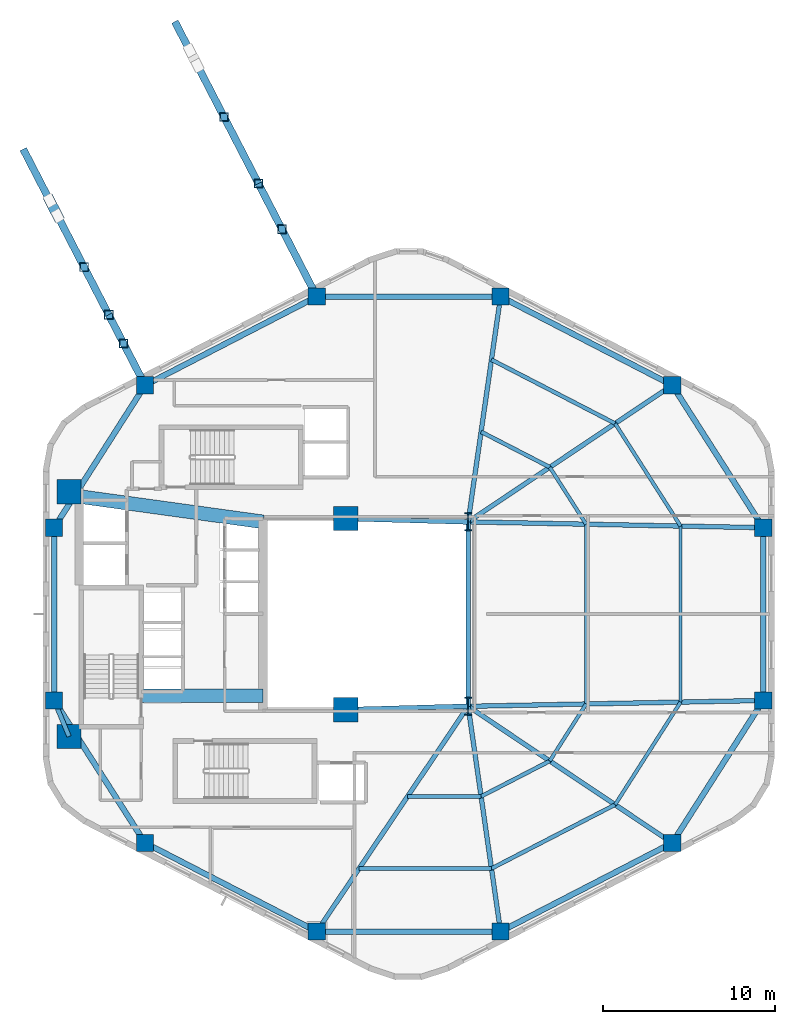
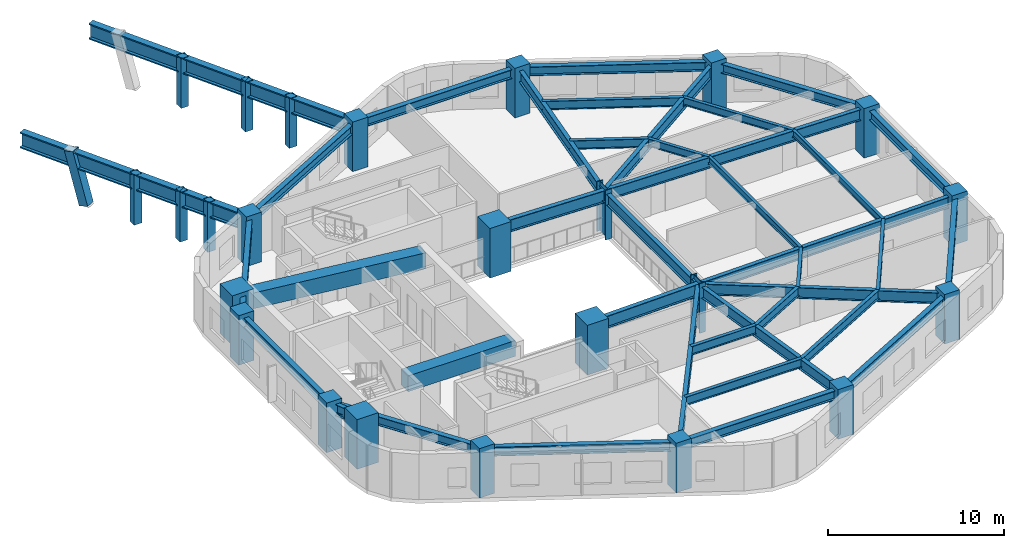
# One storey, part 1 of 6: 41 beams, 18 columns, 7 members.
"""IFC4 building model written with IfcOpenShell, lengths in metres."""

from ifc_helpers import new_model, si_unit, direction, frame, origin, origin_2d, place, context, subcontext, project, spatial, rectangle, hollow_rectangle, i_section, extrude, material, material_profile, profile_set, type_object, element, save


model = new_model("IFC4")

# Units and contexts
model_context = context("Model", 3, precision=1e-05, world=origin(), true_north=direction((0.0, 1.0)))
body_context = subcontext(model_context, "Body", "Model", "MODEL_VIEW")
ifc_project = project(units=[si_unit("LENGTHUNIT", "METRE"), si_unit("AREAUNIT", "SQUARE_METRE"), si_unit("VOLUMEUNIT", "CUBIC_METRE"), si_unit("PLANEANGLEUNIT", "RADIAN"), si_unit("MASSUNIT", "GRAM", prefix="KILO"), si_unit("THERMODYNAMICTEMPERATUREUNIT", "KELVIN"), si_unit("POWERUNIT", "WATT")], contexts=[model_context])

# Site, building, storey
site_placement = place(None, origin())
site = spatial("IfcSite", under=ifc_project, at=site_placement, CompositionType="ELEMENT")
building_placement = place(site_placement, origin())
building = spatial("IfcBuilding", under=site, at=building_placement, Name="Skarre Station Tower", CompositionType="ELEMENT")
storey_placement = place(building_placement, frame((0.0, 0.0, 136.050048828125)))
storey = spatial("IfcBuildingStorey", under=building, at=storey_placement, Name="L36", CompositionType="ELEMENT", Elevation=136.050048828125)

# Columns
ifc_material_1 = material(Name="Concrete C60/75", Category="concrete")
ifc_material_profile_1 = material_profile(ifc_material_1, rectangle(XDim=1.0, YDim=1.0, at=origin_2d()), Name="Concrete C60/75")
ifc_profile_set_1 = profile_set([ifc_material_profile_1], Name="Concrete C60/75")
column_type_1 = type_object("IfcColumnType", Name="RC Structural Column RC-COL-1000X1000", PredefinedType="COLUMN", material=ifc_profile_set_1)
for number, where, z_axis, x_axis, name in (
    (1, (51.291015625, 37.277099609375, 0.0), (0.0, 0.0, 1.0), (1.0, 0.0, 0.0), "L36 Zone 2 Perimeter Column F0C1"),
    (2, (41.3310546875, 42.41796875, 0.0), (0.0, 0.0, 1.0), (1.0, 0.0, 0.0), "L36 Zone 2 Perimeter Column F0C2"),
    (3, (30.6689453125, 42.41796875, 0.0), (0.0, 0.0, 1.0), (1.0, 0.0, 0.0), "L36 Zone 2 Perimeter Column F1C1"),
    (4, (20.708984375, 37.277099609375, 0.0), (0.0, 0.0, 1.0), (1.0, 0.0, 0.0), "L36 Zone 2 Perimeter Column F1C2"),
    (5, (15.431884765625, 29.010986328125, 0.0), (0.0, 0.0, 1.0), (1.0, 0.0, 0.0), "L36 Zone 2 Perimeter Column F2C1"),
    (6, (15.431884765625, 18.989013671875, 0.0), (0.0, 0.0, 1.0), (1.0, 0.0, 0.0), "L36 Zone 2 Perimeter Column F2C2"),
    (7, (20.708984375, 10.722900390625, 0.0), (0.0, 0.0, 1.0), (1.0, 0.0, 0.0), "L36 Zone 2 Perimeter Column F3C1"),
    (8, (30.6689453125, 5.58203125, 0.0), (0.0, 0.0, 1.0), (1.0, 0.0, 0.0), "L36 Zone 2 Perimeter Column F3C2"),
    (9, (41.3310546875, 5.58203125, 0.0), (0.0, 0.0, 1.0), (1.0, 0.0, 0.0), "L36 Zone 2 Perimeter Column F4C1"),
    (10, (51.291015625, 10.722900390625, 0.0), (0.0, 0.0, 1.0), (1.0, 0.0, 0.0), "L36 Zone 2 Perimeter Column F4C2"),
    (11, (56.568115234375, 18.989013671875, 0.0), (0.0, 0.0, 1.0), (1.0, 0.0, 0.0), "L36 Zone 2 Perimeter Column F5C1"),
    (12, (56.568115234375, 29.010986328125, 0.0), (0.0, 0.0, 1.0), (1.0, 0.0, 0.0), "L36 Zone 2 Perimeter Column F5C2"),
):
    element("IfcColumn", number, at=place(storey_placement, frame(where, z_axis=z_axis, x_axis=x_axis)), inside=storey, type_object=column_type_1, Name=name, PredefinedType="COLUMN", context=body_context, shape_type="SweptSolid", body=[
        extrude(rectangle(XDim=1.0, YDim=1.0, at=origin_2d()), origin(), (0.0, 0.0, 1.0), 3.449951171875),
    ])
ifc_material_2 = material(Name="Concrete C70/85", Category="concrete")
ifc_material_profile_2 = material_profile(ifc_material_2, rectangle(XDim=1.39990234375, YDim=1.39990234375, at=origin_2d()), Name="Concrete C70/85")
ifc_profile_set_2 = profile_set([ifc_material_profile_2], Name="Concrete C70/85")
column_type_2 = type_object("IfcColumnType", Name="RC Structural Column RC-COL-1400X1400", PredefinedType="COLUMN", material=ifc_profile_set_2)
for number, where, z_axis, x_axis, name in (
    (13, (16.300048828125, 16.89990234375, 0.0), (0.0, 0.0, 1.0), (1.0, 0.0, 0.0), "L36 Core Column CC-SW"),
    (14, (16.300048828125, 31.10009765625, 0.0), (0.0, 0.0, 1.0), (1.0, 0.0, 0.0), "L36 Core Column CC-NW"),
    (15, (32.35009765625, 18.449951171875, 0.0), (0.0, 0.0, 1.0), (1.0, 0.0, 0.0), "L36 Core Column CC-SE"),
    (16, (32.35009765625, 29.550048828125, 0.0), (0.0, 0.0, 1.0), (1.0, 0.0, 0.0), "L36 Core Column CC-NE"),
):
    element("IfcColumn", number, at=place(storey_placement, frame(where, z_axis=z_axis, x_axis=x_axis)), inside=storey, type_object=column_type_2, Name=name, PredefinedType="COLUMN", context=body_context, shape_type="SweptSolid", body=[
        extrude(rectangle(XDim=1.39990234375, YDim=1.39990234375, at=origin_2d()), origin(), (0.0, 0.0, 1.0), 3.449951171875),
    ])
ifc_material_3 = material(Name="Steel ASTM A913 Grade 65", Category="steel")
ifc_material_profile_3 = material_profile(ifc_material_3, i_section(OverallWidth=0.409912109375, OverallDepth=1.041015625, WebThickness=0.031005859375, FlangeThickness=0.055908203125, at=origin_2d()), Name="Steel ASTM A913 Grade 65")
ifc_profile_set_3 = profile_set([ifc_material_profile_3], Name="Steel ASTM A913 Grade 65")
column_type_3 = type_object("IfcColumnType", Name="Steel Column W40X397", PredefinedType="COLUMN", material=ifc_profile_set_3)
for number, where, z_axis, x_axis, name in (
    (17, (39.449951171875, 18.64990234375, 0.0), (0.0, 0.0, 1.0), (1.0, 0.0, 0.0), "L36 Atrium Spine Column AC-SE"),
    (18, (39.449951171875, 29.35009765625, 0.0), (0.0, 0.0, 1.0), (1.0, 0.0, 0.0), "L36 Atrium Spine Column AC-NE"),
):
    element("IfcColumn", number, at=place(storey_placement, frame(where, z_axis=z_axis, x_axis=x_axis)), inside=storey, type_object=column_type_3, Name=name, PredefinedType="COLUMN", context=body_context, shape_type="SweptSolid", body=[
        extrude(i_section(OverallWidth=0.409912109375, OverallDepth=1.041015625, WebThickness=0.031005859375, FlangeThickness=0.055908203125, at=origin_2d()), origin(), (0.0, 0.0, 1.0), 3.449951171875),
    ])

# Beams
ifc_material_profile_4 = material_profile(ifc_material_2, rectangle(XDim=0.800048828125, YDim=1.10009765625, at=origin_2d()), Name="Concrete C70/85")
ifc_profile_set_4 = profile_set([ifc_material_profile_4], Name="Concrete C70/85")
beam_type_1 = type_object("IfcBeamType", Name="RC Core Coupling Lintel 800x1100", PredefinedType="LINTEL", material=ifc_profile_set_4)
beam_1_placement = place(storey_placement, frame((20.489990234375, 19.260009765625, 2.60986328125), z_axis=(1.0, 0.0, 0.0), x_axis=(0.0, 1.0, 0.0)))
element("IfcBeam", 19, at=beam_1_placement, inside=storey, type_object=beam_type_1, Name="L36 South Core Coupling Lintel", PredefinedType="LINTEL", context=body_context, shape_type="SweptSolid", body=[
    extrude(rectangle(XDim=0.800048828125, YDim=1.10009765625, at=origin_2d()), origin(), (0.0, 0.0, 1.0), 7.06005859375),
])
beam_2_placement = place(storey_placement, frame((17.050048828125, 30.800048828125, 2.60986328125), z_axis=(0.990599723633, -0.136792498109, 0.0), x_axis=(0.136792498109, 0.990599723633, 0.0)))
element("IfcBeam", 20, at=beam_2_placement, inside=storey, type_object=beam_type_1, Name="L36 North Core Coupling Lintel", PredefinedType="LINTEL", context=body_context, shape_type="SweptSolid", body=[
    extrude(rectangle(XDim=0.800048828125, YDim=1.10009765625, at=origin_2d()), origin(), (0.0, 0.0, 1.0), 10.599609375),
])
ifc_material_4 = material(Name="Steel ASTM A992 Grade 50", Category="steel")
ifc_material_profile_5 = material_profile(ifc_material_4, i_section(OverallWidth=0.26806640625, OverallDepth=0.77001953125, WebThickness=0.01611328125, FlangeThickness=0.02490234375, at=origin_2d()), Name="Steel ASTM A992 Grade 50")
ifc_profile_set_5 = profile_set([ifc_material_profile_5], Name="Steel ASTM A992 Grade 50")
beam_type_2 = type_object("IfcBeamType", Name="Steel Beam W30X132", PredefinedType="BEAM", material=ifc_profile_set_5)
beam_3_placement = place(storey_placement, frame((39.449951171875, 18.64990234375, 2.77490234375), z_axis=(0.0, 1.0, 0.0), x_axis=(-1.0, 0.0, 0.0)))
element("IfcBeam", 21, at=beam_3_placement, inside=storey, type_object=beam_type_2, Name="L36 Atrium East Edge Girder", PredefinedType="BEAM", context=body_context, shape_type="SweptSolid", body=[
    extrude(i_section(OverallWidth=0.26806640625, OverallDepth=0.77001953125, WebThickness=0.01611328125, FlangeThickness=0.02490234375, at=origin_2d()), origin(), (0.0, 0.0, 1.0), 10.7001953125),
])
beam_4_placement = place(storey_placement, frame((39.449951171875, 29.35009765625, 2.77490234375), z_axis=(0.830981218317, 0.556300471692, 0.0), x_axis=(-0.556300471692, 0.830981218317, 0.0)))
element("IfcBeam", 22, at=beam_4_placement, inside=storey, type_object=beam_type_2, Name="L36 Radial Floor Girder F0C1", PredefinedType="BEAM", context=body_context, shape_type="SweptSolid", body=[
    extrude(i_section(OverallWidth=0.26806640625, OverallDepth=0.77001953125, WebThickness=0.01611328125, FlangeThickness=0.02490234375, at=origin_2d()), origin(), (0.0, 0.0, 1.0), 14.24951171875),
])
beam_5_placement = place(storey_placement, frame((39.449951171875, 29.35009765625, 2.77490234375), z_axis=(0.142480121776, 0.989797663616, 0.0), x_axis=(-0.989797663616, 0.142480121776, 0.0)))
element("IfcBeam", 23, at=beam_5_placement, inside=storey, type_object=beam_type_2, Name="L36 Radial Floor Girder F0C2", PredefinedType="BEAM", context=body_context, shape_type="SweptSolid", body=[
    extrude(i_section(OverallWidth=0.26806640625, OverallDepth=0.77001953125, WebThickness=0.01611328125, FlangeThickness=0.02490234375, at=origin_2d()), origin(), (0.0, 0.0, 1.0), 13.20263671875),
])
beam_6_placement = place(storey_placement, frame((16.300048828125, 16.89990234375, 2.77490234375), z_axis=(-0.383749333092, 0.923437301256, 0.0), x_axis=(-0.923437301256, -0.383749333092, 0.0)))
element("IfcBeam", 24, at=beam_6_placement, inside=storey, type_object=beam_type_2, Name="L36 Radial Floor Girder F2C2", PredefinedType="BEAM", context=body_context, shape_type="SweptSolid", body=[
    extrude(i_section(OverallWidth=0.26806640625, OverallDepth=0.77001953125, WebThickness=0.01611328125, FlangeThickness=0.02490234375, at=origin_2d()), origin(), (0.0, 0.0, 1.0), 2.26220703125),
])
beam_7_placement = place(storey_placement, frame((39.449951171875, 18.64990234375, 2.77490234375), z_axis=(-0.55773464691, -0.830019315219, 0.0), x_axis=(0.830019315219, -0.55773464691, 0.0)))
element("IfcBeam", 25, at=beam_7_placement, inside=storey, type_object=beam_type_2, Name="L36 Radial Floor Girder F3C2", PredefinedType="BEAM", context=body_context, shape_type="SweptSolid", body=[
    extrude(i_section(OverallWidth=0.26806640625, OverallDepth=0.77001953125, WebThickness=0.01611328125, FlangeThickness=0.02490234375, at=origin_2d()), origin(), (0.0, 0.0, 1.0), 15.744140625),
])
beam_8_placement = place(storey_placement, frame((39.449951171875, 18.64990234375, 2.77490234375), z_axis=(0.142480121776, -0.989797663616, 0.0), x_axis=(0.989797663616, 0.142480121776, 0.0)))
element("IfcBeam", 26, at=beam_8_placement, inside=storey, type_object=beam_type_2, Name="L36 Radial Floor Girder F4C1", PredefinedType="BEAM", context=body_context, shape_type="SweptSolid", body=[
    extrude(i_section(OverallWidth=0.26806640625, OverallDepth=0.77001953125, WebThickness=0.01611328125, FlangeThickness=0.02490234375, at=origin_2d()), origin(), (0.0, 0.0, 1.0), 13.20263671875),
])
beam_9_placement = place(storey_placement, frame((39.449951171875, 18.64990234375, 2.77490234375), z_axis=(0.830981218317, -0.556300471692, 0.0), x_axis=(0.556300471692, 0.830981218317, 0.0)))
element("IfcBeam", 27, at=beam_9_placement, inside=storey, type_object=beam_type_2, Name="L36 Radial Floor Girder F4C2", PredefinedType="BEAM", context=body_context, shape_type="SweptSolid", body=[
    extrude(i_section(OverallWidth=0.26806640625, OverallDepth=0.77001953125, WebThickness=0.01611328125, FlangeThickness=0.02490234375, at=origin_2d()), origin(), (0.0, 0.0, 1.0), 14.24951171875),
])
for number, where, z_axis, x_axis, name in (
    (28, (39.449951171875, 18.64990234375, 2.77490234375), (0.999803839107, 0.019806143142, 0.0), (-0.019806143142, 0.999803839107, 0.0), "L36 Radial Floor Girder F5C1"),
    (29, (39.449951171875, 29.35009765625, 2.77490234375), (0.999803839107, -0.019806143142, 0.0), (0.019806143142, 0.999803839107, 0.0), "L36 Radial Floor Girder F5C2"),
):
    element("IfcBeam", number, at=place(storey_placement, frame(where, z_axis=z_axis, x_axis=x_axis)), inside=storey, type_object=beam_type_2, Name=name, PredefinedType="BEAM", context=body_context, shape_type="SweptSolid", body=[
        extrude(i_section(OverallWidth=0.26806640625, OverallDepth=0.77001953125, WebThickness=0.01611328125, FlangeThickness=0.02490234375, at=origin_2d()), origin(), (0.0, 0.0, 1.0), 17.12158203125),
    ])
ifc_material_profile_6 = material_profile(ifc_material_4, i_section(OverallWidth=0.2919921875, OverallDepth=0.85888671875, WebThickness=0.01708984375, FlangeThickness=0.031005859375, at=origin_2d()), Name="Steel ASTM A992 Grade 50")
ifc_profile_set_6 = profile_set([ifc_material_profile_6], Name="Steel ASTM A992 Grade 50")
beam_type_3 = type_object("IfcBeamType", Name="Steel Beam W33X169", PredefinedType="BEAM", material=ifc_profile_set_6)
for number, where, z_axis, x_axis, name in (
    (30, (32.35009765625, 18.449951171875, 2.73095703125), (0.999603666405, 0.028151556095, 0.0), (-0.028151556095, 0.999603666405, 0.0), "L36 Atrium South Edge Girder"),
    (31, (32.35009765625, 29.550048828125, 2.73095703125), (0.999603666405, -0.028151556095, 0.0), (0.028151556095, 0.999603666405, 0.0), "L36 Atrium North Edge Girder"),
):
    element("IfcBeam", number, at=place(storey_placement, frame(where, z_axis=z_axis, x_axis=x_axis)), inside=storey, type_object=beam_type_3, Name=name, PredefinedType="BEAM", context=body_context, shape_type="SweptSolid", body=[
        extrude(i_section(OverallWidth=0.2919921875, OverallDepth=0.85888671875, WebThickness=0.01708984375, FlangeThickness=0.031005859375, at=origin_2d()), origin(), (0.0, 0.0, 1.0), 7.102783203125),
    ])
ifc_material_profile_7 = material_profile(ifc_material_4, i_section(OverallWidth=0.19091796875, OverallDepth=0.45703125, WebThickness=0.009033203125, FlangeThickness=0.013916015625, at=origin_2d()), Name="Steel ASTM A992 Grade 50")
ifc_profile_set_7 = profile_set([ifc_material_profile_7], Name="Steel ASTM A992 Grade 50")
beam_type_4 = type_object("IfcBeamType", Name="Steel Joist W18X50", PredefinedType="JOIST", material=ifc_profile_set_7)
beam_10_placement = place(storey_placement, frame((46.297119140625, 18.785888671875, 2.931884765625), z_axis=(0.0, 1.0, 0.0), x_axis=(-1.0, 0.0, 0.0)))
element("IfcBeam", 32, at=beam_10_placement, inside=storey, type_object=beam_type_4, Name="L36 Auxiliary Composite Joist 9", PredefinedType="JOIST", context=body_context, shape_type="SweptSolid", body=[
    extrude(i_section(OverallWidth=0.19091796875, OverallDepth=0.45703125, WebThickness=0.009033203125, FlangeThickness=0.013916015625, at=origin_2d()), origin(), (0.0, 0.0, 1.0), 10.42822265625),
])
beam_11_placement = place(storey_placement, frame((51.77490234375, 18.89404296875, 2.931884765625), z_axis=(0.0, 1.0, 0.0), x_axis=(-1.0, 0.0, 0.0)))
element("IfcBeam", 33, at=beam_11_placement, inside=storey, type_object=beam_type_4, Name="L36 Auxiliary Composite Joist 10", PredefinedType="JOIST", context=body_context, shape_type="SweptSolid", body=[
    extrude(i_section(OverallWidth=0.19091796875, OverallDepth=0.45703125, WebThickness=0.009033203125, FlangeThickness=0.013916015625, at=origin_2d()), origin(), (0.0, 0.0, 1.0), 10.2119140625),
])
ifc_material_profile_8 = material_profile(ifc_material_4, i_section(OverallWidth=0.208984375, OverallDepth=0.532958984375, WebThickness=0.010009765625, FlangeThickness=0.01611328125, at=origin_2d()), Name="Steel ASTM A992 Grade 50")
ifc_profile_set_8 = profile_set([ifc_material_profile_8], Name="Steel ASTM A992 Grade 50")
beam_type_5 = type_object("IfcBeamType", Name="Steel Joist W21X62", PredefinedType="JOIST", material=ifc_profile_set_8)
beam_12_placement = place(storey_placement, frame((44.18603515625, 15.47900390625, 2.89404296875), z_axis=(0.538090955129, 0.842886780065, 0.0), x_axis=(-0.842886780065, 0.538090955129, 0.0)))
element("IfcBeam", 34, at=beam_12_placement, inside=storey, type_object=beam_type_5, Name="L36 Auxiliary Composite Joist 7", PredefinedType="JOIST", context=body_context, shape_type="SweptSolid", body=[
    extrude(i_section(OverallWidth=0.208984375, OverallDepth=0.532958984375, WebThickness=0.010009765625, FlangeThickness=0.01611328125, at=origin_2d()), origin(), (0.0, 0.0, 1.0), 3.92333984375),
])
beam_13_placement = place(storey_placement, frame((47.97607421875, 12.943115234375, 2.89404296875), z_axis=(0.538072046089, 0.842898851119, 0.0), x_axis=(-0.842898851119, 0.538072046089, 0.0)))
element("IfcBeam", 35, at=beam_13_placement, inside=storey, type_object=beam_type_5, Name="L36 Auxiliary Composite Joist 8", PredefinedType="JOIST", context=body_context, shape_type="SweptSolid", body=[
    extrude(i_section(OverallWidth=0.208984375, OverallDepth=0.532958984375, WebThickness=0.010009765625, FlangeThickness=0.01611328125, at=origin_2d()), origin(), (0.0, 0.0, 1.0), 7.06005859375),
])
beam_14_placement = place(storey_placement, frame((46.297119140625, 29.214111328125, 2.89404296875), z_axis=(-0.538090955129, 0.842886780065, 0.0), x_axis=(-0.842886780065, -0.538090955129, 0.0)))
element("IfcBeam", 36, at=beam_14_placement, inside=storey, type_object=beam_type_5, Name="L36 Auxiliary Composite Joist 11", PredefinedType="JOIST", context=body_context, shape_type="SweptSolid", body=[
    extrude(i_section(OverallWidth=0.208984375, OverallDepth=0.532958984375, WebThickness=0.010009765625, FlangeThickness=0.01611328125, at=origin_2d()), origin(), (0.0, 0.0, 1.0), 3.92333984375),
])
beam_15_placement = place(storey_placement, frame((51.77490234375, 29.10595703125, 2.89404296875), z_axis=(-0.538072046089, 0.842898851119, 0.0), x_axis=(-0.842898851119, -0.538072046089, 0.0)))
element("IfcBeam", 37, at=beam_15_placement, inside=storey, type_object=beam_type_5, Name="L36 Auxiliary Composite Joist 12", PredefinedType="JOIST", context=body_context, shape_type="SweptSolid", body=[
    extrude(i_section(OverallWidth=0.208984375, OverallDepth=0.532958984375, WebThickness=0.010009765625, FlangeThickness=0.01611328125, at=origin_2d()), origin(), (0.0, 0.0, 1.0), 7.06005859375),
])
ifc_material_profile_9 = material_profile(ifc_material_4, i_section(OverallWidth=0.22802734375, OverallDepth=0.60791015625, WebThickness=0.010986328125, FlangeThickness=0.01708984375, at=origin_2d()), Name="Steel ASTM A992 Grade 50")
ifc_profile_set_9 = profile_set([ifc_material_profile_9], Name="Steel ASTM A992 Grade 50")
beam_type_6 = type_object("IfcBeamType", Name="Steel Joist W24X76", PredefinedType="JOIST", material=ifc_profile_set_9)
beam_16_placement = place(storey_placement, frame((44.18603515625, 32.52099609375, 2.85595703125), z_axis=(-0.888658598325, 0.458569401097, 0.0), x_axis=(-0.458569401097, -0.888658598325, 0.0)))
element("IfcBeam", 38, at=beam_16_placement, inside=storey, type_object=beam_type_6, Name="L36 Secondary Floor Joist 1", PredefinedType="JOIST", context=body_context, shape_type="SweptSolid", body=[
    extrude(i_section(OverallWidth=0.22802734375, OverallDepth=0.60791015625, WebThickness=0.010986328125, FlangeThickness=0.01708984375, at=origin_2d()), origin(), (0.0, 0.0, 1.0), 4.4833984375),
])
beam_17_placement = place(storey_placement, frame((47.97607421875, 35.056884765625, 2.85595703125), z_axis=(-0.888599977053, 0.458682985057, 0.0), x_axis=(-0.458682985057, -0.888599977053, 0.0)))
element("IfcBeam", 39, at=beam_17_placement, inside=storey, type_object=beam_type_6, Name="L36 Secondary Floor Joist 2", PredefinedType="JOIST", context=body_context, shape_type="SweptSolid", body=[
    extrude(i_section(OverallWidth=0.22802734375, OverallDepth=0.60791015625, WebThickness=0.010986328125, FlangeThickness=0.01708984375, at=origin_2d()), origin(), (0.0, 0.0, 1.0), 8.0712890625),
])
beam_18_placement = place(storey_placement, frame((35.93798828125, 13.423095703125, 2.85595703125), z_axis=(1.0, 0.0, 0.0), x_axis=(0.0, 1.0, 0.0)))
element("IfcBeam", 40, at=beam_18_placement, inside=storey, type_object=beam_type_6, Name="L36 Secondary Floor Joist 3", PredefinedType="JOIST", context=body_context, shape_type="SweptSolid", body=[
    extrude(i_section(OverallWidth=0.22802734375, OverallDepth=0.60791015625, WebThickness=0.010986328125, FlangeThickness=0.01708984375, at=origin_2d()), origin(), (0.0, 0.0, 1.0), 4.263916015625),
])
beam_19_placement = place(storey_placement, frame((33.1279296875, 9.240966796875, 2.85595703125), z_axis=(1.0, 0.0, 0.0), x_axis=(0.0, 1.0, 0.0)))
element("IfcBeam", 41, at=beam_19_placement, inside=storey, type_object=beam_type_6, Name="L36 Secondary Floor Joist 4", PredefinedType="JOIST", context=body_context, shape_type="SweptSolid", body=[
    extrude(i_section(OverallWidth=0.22802734375, OverallDepth=0.60791015625, WebThickness=0.010986328125, FlangeThickness=0.01708984375, at=origin_2d()), origin(), (0.0, 0.0, 1.0), 7.676025390625),
])
beam_20_placement = place(storey_placement, frame((40.201904296875, 13.423095703125, 2.85595703125), z_axis=(0.888658598325, 0.458569401097, 0.0), x_axis=(-0.458569401097, 0.888658598325, 0.0)))
element("IfcBeam", 42, at=beam_20_placement, inside=storey, type_object=beam_type_6, Name="L36 Secondary Floor Joist 5", PredefinedType="JOIST", context=body_context, shape_type="SweptSolid", body=[
    extrude(i_section(OverallWidth=0.22802734375, OverallDepth=0.60791015625, WebThickness=0.010986328125, FlangeThickness=0.01708984375, at=origin_2d()), origin(), (0.0, 0.0, 1.0), 4.4833984375),
])
beam_21_placement = place(storey_placement, frame((40.803955078125, 9.240966796875, 2.85595703125), z_axis=(0.888599977053, 0.458682985057, 0.0), x_axis=(-0.458682985057, 0.888599977053, 0.0)))
element("IfcBeam", 43, at=beam_21_placement, inside=storey, type_object=beam_type_6, Name="L36 Secondary Floor Joist 6", PredefinedType="JOIST", context=body_context, shape_type="SweptSolid", body=[
    extrude(i_section(OverallWidth=0.22802734375, OverallDepth=0.60791015625, WebThickness=0.010986328125, FlangeThickness=0.01708984375, at=origin_2d()), origin(), (0.0, 0.0, 1.0), 8.0712890625),
])
ifc_material_profile_10 = material_profile(ifc_material_4, i_section(OverallWidth=0.327880859375, OverallDepth=0.6279296875, WebThickness=0.01708984375, FlangeThickness=0.028076171875, at=origin_2d()), Name="Steel ASTM A992 Grade 50")
ifc_profile_set_10 = profile_set([ifc_material_profile_10], Name="Steel ASTM A992 Grade 50")
beam_type_7 = type_object("IfcBeamType", Name="Steel Spandrel W24X146", PredefinedType="SPANDREL", material=ifc_profile_set_10)
beam_22_placement = place(storey_placement, frame((51.291015625, 37.277099609375, 2.845947265625), z_axis=(-0.888611779493, 0.458660119639, 0.0), x_axis=(-0.458660119639, -0.888611779493, 0.0)))
element("IfcBeam", 44, at=beam_22_placement, inside=storey, type_object=beam_type_7, Name="L36 Facet Spandrel Beam 1", PredefinedType="SPANDREL", context=body_context, shape_type="SweptSolid", body=[
    extrude(i_section(OverallWidth=0.327880859375, OverallDepth=0.6279296875, WebThickness=0.01708984375, FlangeThickness=0.028076171875, at=origin_2d()), origin(), (0.0, 0.0, 1.0), 11.20849609375),
])
beam_23_placement = place(storey_placement, frame((41.3310546875, 42.41796875, 2.845947265625), z_axis=(-1.0, 0.0, 0.0), x_axis=(0.0, -1.0, 0.0)))
element("IfcBeam", 45, at=beam_23_placement, inside=storey, type_object=beam_type_7, Name="L36 Facet Spandrel Beam 2", PredefinedType="SPANDREL", context=body_context, shape_type="SweptSolid", body=[
    extrude(i_section(OverallWidth=0.327880859375, OverallDepth=0.6279296875, WebThickness=0.01708984375, FlangeThickness=0.028076171875, at=origin_2d()), origin(), (0.0, 0.0, 1.0), 10.662109375),
])
beam_24_placement = place(storey_placement, frame((30.6689453125, 42.41796875, 2.845947265625), z_axis=(-0.888611779493, -0.458660119639, 0.0), x_axis=(0.458660119639, -0.888611779493, 0.0)))
element("IfcBeam", 46, at=beam_24_placement, inside=storey, type_object=beam_type_7, Name="L36 Facet Spandrel Beam 3", PredefinedType="SPANDREL", context=body_context, shape_type="SweptSolid", body=[
    extrude(i_section(OverallWidth=0.327880859375, OverallDepth=0.6279296875, WebThickness=0.01708984375, FlangeThickness=0.028076171875, at=origin_2d()), origin(), (0.0, 0.0, 1.0), 11.20849609375),
])
beam_25_placement = place(storey_placement, frame((20.708984375, 37.277099609375, 2.845947265625), z_axis=(-0.538097547923, -0.842882571251, 0.0), x_axis=(0.842882571251, -0.538097547923, 0.0)))
element("IfcBeam", 47, at=beam_25_placement, inside=storey, type_object=beam_type_7, Name="L36 Facet Spandrel Beam 4", PredefinedType="SPANDREL", context=body_context, shape_type="SweptSolid", body=[
    extrude(i_section(OverallWidth=0.327880859375, OverallDepth=0.6279296875, WebThickness=0.01708984375, FlangeThickness=0.028076171875, at=origin_2d()), origin(), (0.0, 0.0, 1.0), 9.806884765625),
])
beam_26_placement = place(storey_placement, frame((15.431884765625, 29.010986328125, 2.845947265625), z_axis=(0.0, -1.0, 0.0), x_axis=(1.0, 0.0, 0.0)))
element("IfcBeam", 48, at=beam_26_placement, inside=storey, type_object=beam_type_7, Name="L36 Facet Spandrel Beam 5", PredefinedType="SPANDREL", context=body_context, shape_type="SweptSolid", body=[
    extrude(i_section(OverallWidth=0.327880859375, OverallDepth=0.6279296875, WebThickness=0.01708984375, FlangeThickness=0.028076171875, at=origin_2d()), origin(), (0.0, 0.0, 1.0), 10.02197265625),
])
beam_27_placement = place(storey_placement, frame((15.431884765625, 18.989013671875, 2.845947265625), z_axis=(0.538097547923, -0.842882571251, 0.0), x_axis=(0.842882571251, 0.538097547923, 0.0)))
element("IfcBeam", 49, at=beam_27_placement, inside=storey, type_object=beam_type_7, Name="L36 Facet Spandrel Beam 6", PredefinedType="SPANDREL", context=body_context, shape_type="SweptSolid", body=[
    extrude(i_section(OverallWidth=0.327880859375, OverallDepth=0.6279296875, WebThickness=0.01708984375, FlangeThickness=0.028076171875, at=origin_2d()), origin(), (0.0, 0.0, 1.0), 9.806884765625),
])
beam_28_placement = place(storey_placement, frame((20.708984375, 10.722900390625, 2.845947265625), z_axis=(0.888611779493, -0.458660119639, 0.0), x_axis=(0.458660119639, 0.888611779493, 0.0)))
element("IfcBeam", 50, at=beam_28_placement, inside=storey, type_object=beam_type_7, Name="L36 Facet Spandrel Beam 7", PredefinedType="SPANDREL", context=body_context, shape_type="SweptSolid", body=[
    extrude(i_section(OverallWidth=0.327880859375, OverallDepth=0.6279296875, WebThickness=0.01708984375, FlangeThickness=0.028076171875, at=origin_2d()), origin(), (0.0, 0.0, 1.0), 11.20849609375),
])
beam_29_placement = place(storey_placement, frame((30.6689453125, 5.58203125, 2.845947265625), z_axis=(1.0, 0.0, 0.0), x_axis=(0.0, 1.0, 0.0)))
element("IfcBeam", 51, at=beam_29_placement, inside=storey, type_object=beam_type_7, Name="L36 Facet Spandrel Beam 8", PredefinedType="SPANDREL", context=body_context, shape_type="SweptSolid", body=[
    extrude(i_section(OverallWidth=0.327880859375, OverallDepth=0.6279296875, WebThickness=0.01708984375, FlangeThickness=0.028076171875, at=origin_2d()), origin(), (0.0, 0.0, 1.0), 10.662109375),
])
beam_30_placement = place(storey_placement, frame((41.3310546875, 5.58203125, 2.845947265625), z_axis=(0.888611779493, 0.458660119639, 0.0), x_axis=(-0.458660119639, 0.888611779493, 0.0)))
element("IfcBeam", 52, at=beam_30_placement, inside=storey, type_object=beam_type_7, Name="L36 Facet Spandrel Beam 9", PredefinedType="SPANDREL", context=body_context, shape_type="SweptSolid", body=[
    extrude(i_section(OverallWidth=0.327880859375, OverallDepth=0.6279296875, WebThickness=0.01708984375, FlangeThickness=0.028076171875, at=origin_2d()), origin(), (0.0, 0.0, 1.0), 11.20849609375),
])
beam_31_placement = place(storey_placement, frame((51.291015625, 10.722900390625, 2.845947265625), z_axis=(0.538097547923, 0.842882571251, 0.0), x_axis=(-0.842882571251, 0.538097547923, 0.0)))
element("IfcBeam", 53, at=beam_31_placement, inside=storey, type_object=beam_type_7, Name="L36 Facet Spandrel Beam 10", PredefinedType="SPANDREL", context=body_context, shape_type="SweptSolid", body=[
    extrude(i_section(OverallWidth=0.327880859375, OverallDepth=0.6279296875, WebThickness=0.01708984375, FlangeThickness=0.028076171875, at=origin_2d()), origin(), (0.0, 0.0, 1.0), 9.806884765625),
])
beam_32_placement = place(storey_placement, frame((56.568115234375, 18.989013671875, 2.845947265625), z_axis=(0.0, 1.0, 0.0), x_axis=(-1.0, 0.0, 0.0)))
element("IfcBeam", 54, at=beam_32_placement, inside=storey, type_object=beam_type_7, Name="L36 Facet Spandrel Beam 11", PredefinedType="SPANDREL", context=body_context, shape_type="SweptSolid", body=[
    extrude(i_section(OverallWidth=0.327880859375, OverallDepth=0.6279296875, WebThickness=0.01708984375, FlangeThickness=0.028076171875, at=origin_2d()), origin(), (0.0, 0.0, 1.0), 10.02197265625),
])
beam_33_placement = place(storey_placement, frame((56.568115234375, 29.010986328125, 2.845947265625), z_axis=(-0.538097547923, 0.842882571251, 0.0), x_axis=(-0.842882571251, -0.538097547923, 0.0)))
element("IfcBeam", 55, at=beam_33_placement, inside=storey, type_object=beam_type_7, Name="L36 Facet Spandrel Beam 12", PredefinedType="SPANDREL", context=body_context, shape_type="SweptSolid", body=[
    extrude(i_section(OverallWidth=0.327880859375, OverallDepth=0.6279296875, WebThickness=0.01708984375, FlangeThickness=0.028076171875, at=origin_2d()), origin(), (0.0, 0.0, 1.0), 9.806884765625),
])
ifc_material_profile_11 = material_profile(ifc_material_3, i_section(OverallWidth=0.424072265625, OverallDepth=1.092041015625, WebThickness=0.044921875, FlangeThickness=0.08203125, at=origin_2d()), Name="Steel ASTM A913 Grade 65")
ifc_profile_set_11 = profile_set([ifc_material_profile_11], Name="Steel ASTM A913 Grade 65")
beam_type_8 = type_object("IfcBeamType", Name="Steel Transfer Girder W40X593", PredefinedType="USERDEFINED", material=ifc_profile_set_11)
beam_34_placement = place(storey_placement, frame((30.6689453125, 42.41796875, 2.614013671875), z_axis=(-0.45866230048, 0.88861065384, 0.0), x_axis=(-0.88861065384, -0.45866230048, 0.0)))
element("IfcBeam", 56, at=beam_34_placement, inside=storey, type_object=beam_type_8, Name="L36 SB-3 Inner Sky-Bar Transfer Girder S1", ObjectType="TRANSFER_GIRDER", PredefinedType="USERDEFINED", context=body_context, shape_type="SweptSolid", body=[
    extrude(i_section(OverallWidth=0.424072265625, OverallDepth=1.092041015625, WebThickness=0.044921875, FlangeThickness=0.08203125, at=origin_2d()), origin(), (0.0, 0.0, 1.0), 7.380126953125),
])
beam_35_placement = place(storey_placement, frame((27.283935546875, 48.97607421875, 2.614013671875), z_axis=(-0.458679988111, 0.888601524029, 0.0), x_axis=(-0.888601524029, -0.458679988111, 0.0)))
element("IfcBeam", 57, at=beam_35_placement, inside=storey, type_object=beam_type_8, Name="L36 SB-3 Outer Sky-Bar Transfer Girder S1", ObjectType="TRANSFER_GIRDER", PredefinedType="USERDEFINED", context=body_context, shape_type="SweptSolid", body=[
    extrude(i_section(OverallWidth=0.424072265625, OverallDepth=1.092041015625, WebThickness=0.044921875, FlangeThickness=0.08203125, at=origin_2d()), origin(), (0.0, 0.0, 1.0), 10.5693359375),
])
beam_36_placement = place(storey_placement, frame((20.708984375, 37.277099609375, 2.614013671875), z_axis=(-0.458640216065, 0.88862205251, 0.0), x_axis=(-0.88862205251, -0.458640216065, 0.0)))
element("IfcBeam", 58, at=beam_36_placement, inside=storey, type_object=beam_type_8, Name="L36 SB-3 Inner Sky-Bar Transfer Girder S2", ObjectType="TRANSFER_GIRDER", PredefinedType="USERDEFINED", context=body_context, shape_type="SweptSolid", body=[
    extrude(i_section(OverallWidth=0.424072265625, OverallDepth=1.092041015625, WebThickness=0.044921875, FlangeThickness=0.08203125, at=origin_2d()), origin(), (0.0, 0.0, 1.0), 4.600341796875),
])
beam_37_placement = place(storey_placement, frame((18.59912109375, 41.364990234375, 2.614013671875), z_axis=(-0.458686644601, 0.888598088038, 0.0), x_axis=(-0.888598088038, -0.458686644601, 0.0)))
element("IfcBeam", 59, at=beam_37_placement, inside=storey, type_object=beam_type_8, Name="L36 SB-3 Outer Sky-Bar Transfer Girder S2", ObjectType="TRANSFER_GIRDER", PredefinedType="USERDEFINED", context=body_context, shape_type="SweptSolid", body=[
    extrude(i_section(OverallWidth=0.424072265625, OverallDepth=1.092041015625, WebThickness=0.044921875, FlangeThickness=0.08203125, at=origin_2d()), origin(), (0.0, 0.0, 1.0), 10.80908203125),
])

# Members
ifc_material_5 = material(Name="Steel ASTM A501 Grade B", Category="steel")
ifc_material_profile_12 = material_profile(ifc_material_5, hollow_rectangle(XDim=0.5, YDim=0.5, WallThickness=0.02490234375, at=origin_2d()), Name="Steel ASTM A501 Grade B")
ifc_profile_set_12 = profile_set([ifc_material_profile_12], Name="Steel ASTM A501 Grade B")
member_type_1 = type_object("IfcMemberType", Name="Steel Truss Strut HSS500X500X25", PredefinedType="STRUT", material=ifc_profile_set_12)
for number, where, z_axis, x_axis, name in (
    (60, (28.65087890625, 46.327880859375, -0.280029296875), (0.0, 0.0, 1.0), (1.0, 0.0, 0.0), "L36 SB-3 Exoskeleton Post Tier 4-1 S1"),
    (61, (27.283935546875, 48.97607421875, -0.280029296875), (0.0, 0.0, 1.0), (1.0, 0.0, 0.0), "L36 SB-3 Exoskeleton Post Tier 4-2 S1"),
    (62, (25.2890625, 52.841064453125, -0.280029296875), (0.0, 0.0, 1.0), (1.0, 0.0, 0.0), "L36 SB-3 Exoskeleton Post Tier 4-3 S1"),
    (63, (19.45703125, 39.702880859375, -0.280029296875), (0.0, 0.0, 1.0), (1.0, 0.0, 0.0), "L36 SB-3 Exoskeleton Post Tier 4-1 S2"),
    (64, (18.59912109375, 41.364990234375, -0.280029296875), (0.0, 0.0, 1.0), (1.0, 0.0, 0.0), "L36 SB-3 Exoskeleton Post Tier 4-2 S2"),
    (65, (17.173095703125, 44.1279296875, -0.280029296875), (0.0, 0.0, 1.0), (1.0, 0.0, 0.0), "L36 SB-3 Exoskeleton Post Tier 4-3 S2"),
):
    element("IfcMember", number, at=place(storey_placement, frame(where, z_axis=z_axis, x_axis=x_axis)), inside=storey, type_object=member_type_1, Name=name, PredefinedType="STRUT", context=body_context, shape_type="SweptSolid", body=[
        extrude(hollow_rectangle(XDim=0.5, YDim=0.5, WallThickness=0.02490234375, at=origin_2d()), origin(), (0.0, 0.0, 1.0), 3.43994140625),
    ])
ifc_material_profile_13 = material_profile(ifc_material_5, hollow_rectangle(XDim=0.60009765625, YDim=0.60009765625, WallThickness=0.028076171875, at=origin_2d()), Name="Steel ASTM A501 Grade B")
ifc_profile_set_13 = profile_set([ifc_material_profile_13], Name="Steel ASTM A501 Grade B")
member_type_2 = type_object("IfcMemberType", Name="Steel Truss Strut HSS600X600X28", PredefinedType="STRUT", material=ifc_profile_set_13)
member_placement = place(storey_placement, frame((15.635986328125, 47.10498046875, -0.280029296875), z_axis=(-0.12785167578, 0.248138566906, 0.960250592613), x_axis=(-0.888941422314, -0.45802090312, 0.0)))
element("IfcMember", 66, at=member_placement, inside=storey, type_object=member_type_2, Name="L36 SB-3 Exoskeleton Raking Strut Tier 4 S2", PredefinedType="STRUT", context=body_context, shape_type="SweptSolid", body=[
    extrude(hollow_rectangle(XDim=0.60009765625, YDim=0.60009765625, WallThickness=0.028076171875, at=origin_2d()), origin(), (0.0, 0.0, 1.0), 3.582275390625),
])

save(model, "model.ifc")
